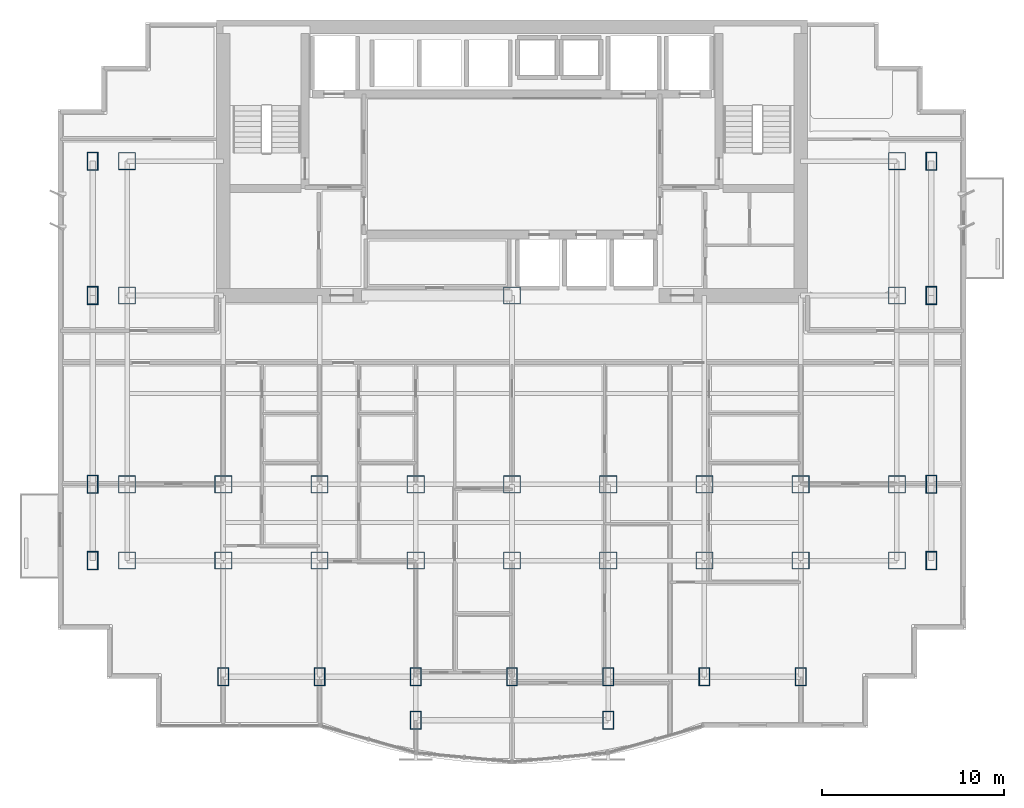
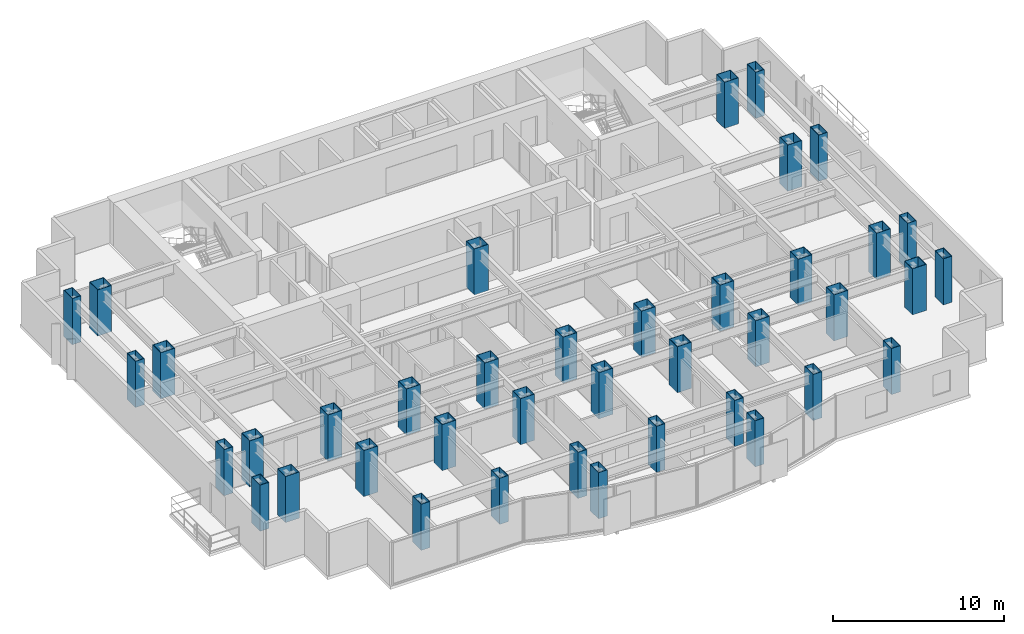
# One storey, part 1 of 10: 40 columns.
"""IFC4 building model written with IfcOpenShell, lengths in metres."""

from ifc_helpers import new_model, si_unit, direction, frame, origin, origin_2d, place, context, subcontext, project, spatial, hollow_rectangle, extrude, material, material_profile, profile_set, type_object, element, save


model = new_model("IFC4")

# Units and contexts
model_context = context("Model", 3, precision=1e-05, world=origin(), true_north=direction((0.0, 1.0)))
body_context = subcontext(model_context, "Body", "Model", "MODEL_VIEW")
ifc_project = project(units=[si_unit("LENGTHUNIT", "METRE"), si_unit("AREAUNIT", "SQUARE_METRE"), si_unit("VOLUMEUNIT", "CUBIC_METRE"), si_unit("PLANEANGLEUNIT", "RADIAN"), si_unit("MASSUNIT", "GRAM", prefix="KILO")], contexts=[model_context])

# Site, building, storey
site_placement = place(None, origin())
site = spatial("IfcSite", under=ifc_project, at=site_placement, CompositionType="ELEMENT")
building_placement = place(site_placement, origin())
building = spatial("IfcBuilding", under=site, at=building_placement, Name="Qianlan Lanfeng Residences", CompositionType="ELEMENT")
storey_placement = place(building_placement, frame((0.0, 0.0, 118.0)))
storey = spatial("IfcBuildingStorey", under=building, at=storey_placement, Name="L32", CompositionType="ELEMENT", Elevation=118.0)

# Columns
ifc_material = material(Name="Steel SN490B", Category="steel")
ifc_material_profile_1 = material_profile(ifc_material, hollow_rectangle(XDim=0.949951171875, YDim=0.949951171875, WallThickness=0.031982421875, at=origin_2d()), Name="BOX 950x950x32")
ifc_profile_set_1 = profile_set([ifc_material_profile_1], Name="Steel SN490B")
column_type_1 = type_object("IfcColumnType", Name="C-B1100", PredefinedType="COLUMN", material=ifc_profile_set_1)
for number, where, z_axis, x_axis, name in (
    (1, (26.5, 25.199951171875, 0.0), (0.0, 0.0, 1.0), (1.0, 0.0, 0.0), "L32 Structural Column CP_26.5_25.2"),
    (2, (10.60009765625, 14.800048828125, 0.0), (0.0, 0.0, 1.0), (1.0, 0.0, 0.0), "L32 Structural Column M_10.60_14.80"),
    (3, (10.60009765625, 10.60009765625, 0.0), (0.0, 0.0, 1.0), (1.0, 0.0, 0.0), "L32 Structural Column G_10.60_10.60"),
    (4, (15.89990234375, 14.800048828125, 0.0), (0.0, 0.0, 1.0), (1.0, 0.0, 0.0), "L32 Structural Column M_15.90_14.80"),
    (5, (15.89990234375, 10.60009765625, 0.0), (0.0, 0.0, 1.0), (1.0, 0.0, 0.0), "L32 Structural Column G_15.90_10.60"),
    (6, (21.199951171875, 14.800048828125, 0.0), (0.0, 0.0, 1.0), (1.0, 0.0, 0.0), "L32 Structural Column M_21.20_14.80"),
    (7, (21.199951171875, 10.60009765625, 0.0), (0.0, 0.0, 1.0), (1.0, 0.0, 0.0), "L32 Structural Column G_21.20_10.60"),
    (8, (26.5, 14.800048828125, 0.0), (0.0, 0.0, 1.0), (1.0, 0.0, 0.0), "L32 Structural Column M_26.50_14.80"),
    (9, (26.5, 10.60009765625, 0.0), (0.0, 0.0, 1.0), (1.0, 0.0, 0.0), "L32 Structural Column G_26.50_10.60"),
    (10, (31.800048828125, 14.800048828125, 0.0), (0.0, 0.0, 1.0), (1.0, 0.0, 0.0), "L32 Structural Column M_31.80_14.80"),
    (11, (31.800048828125, 10.60009765625, 0.0), (0.0, 0.0, 1.0), (1.0, 0.0, 0.0), "L32 Structural Column G_31.80_10.60"),
    (12, (37.10009765625, 14.800048828125, 0.0), (0.0, 0.0, 1.0), (1.0, 0.0, 0.0), "L32 Structural Column M_37.10_14.80"),
    (13, (37.10009765625, 10.60009765625, 0.0), (0.0, 0.0, 1.0), (1.0, 0.0, 0.0), "L32 Structural Column G_37.10_10.60"),
    (14, (42.39990234375, 14.800048828125, 0.0), (0.0, 0.0, 1.0), (1.0, 0.0, 0.0), "L32 Structural Column M_42.40_14.80"),
    (15, (42.39990234375, 10.60009765625, 0.0), (0.0, 0.0, 1.0), (1.0, 0.0, 0.0), "L32 Structural Column G_42.40_10.60"),
    (16, (5.300048828125, 10.60009765625, 0.0), (0.0, 0.0, 1.0), (1.0, 0.0, 0.0), "L32 Structural Column W_5.30_10.60"),
    (17, (5.300048828125, 14.800048828125, 0.0), (0.0, 0.0, 1.0), (1.0, 0.0, 0.0), "L32 Structural Column W_5.30_14.80"),
    (18, (5.300048828125, 25.199951171875, 0.0), (0.0, 0.0, 1.0), (1.0, 0.0, 0.0), "L32 Structural Column W_5.30_25.20"),
    (19, (5.300048828125, 32.60009765625, 0.0), (0.0, 0.0, 1.0), (1.0, 0.0, 0.0), "L32 Structural Column W_5.30_32.60"),
    (20, (47.699951171875, 10.60009765625, 0.0), (0.0, 0.0, 1.0), (1.0, 0.0, 0.0), "L32 Structural Column W_47.70_10.60"),
    (21, (47.699951171875, 14.800048828125, 0.0), (0.0, 0.0, 1.0), (1.0, 0.0, 0.0), "L32 Structural Column W_47.70_14.80"),
    (22, (47.699951171875, 25.199951171875, 0.0), (0.0, 0.0, 1.0), (1.0, 0.0, 0.0), "L32 Structural Column W_47.70_25.20"),
    (23, (47.699951171875, 32.60009765625, 0.0), (0.0, 0.0, 1.0), (1.0, 0.0, 0.0), "L32 Structural Column W_47.70_32.60"),
):
    element("IfcColumn", number, at=place(storey_placement, frame(where, z_axis=z_axis, x_axis=x_axis)), inside=storey, type_object=column_type_1, Name=name, PredefinedType="COLUMN", context=body_context, shape_type="SweptSolid", body=[
        extrude(hollow_rectangle(XDim=0.949951171875, YDim=0.949951171875, WallThickness=0.031982421875, at=origin_2d()), origin(), (0.0, 0.0, 1.0), 3.300048828125),
    ])
ifc_material_profile_2 = material_profile(ifc_material, hollow_rectangle(XDim=0.60009765625, YDim=1.0, WallThickness=0.031982421875, at=origin_2d()), Name="BOX 1000x600x32")
ifc_profile_set_2 = profile_set([ifc_material_profile_2], Name="Steel SN490B")
column_type_2 = type_object("IfcColumnType", Name="CE-B1100", PredefinedType="COLUMN", material=ifc_profile_set_2)
for number, where, z_axis, x_axis, name in (
    (24, (21.199951171875, 1.800048828125, 0.0), (0.0, 0.0, 1.0), (1.0, 0.0, 0.0), "L32 Structural Column P_21.20_1.80"),
    (25, (31.800048828125, 1.800048828125, 0.0), (0.0, 0.0, 1.0), (1.0, 0.0, 0.0), "L32 Structural Column P_31.80_1.80"),
    (26, (10.60009765625, 4.199951171875, 0.0), (0.0, 0.0, 1.0), (1.0, 0.0, 0.0), "L32 Structural Column S_10.60_4.20"),
    (27, (15.89990234375, 4.199951171875, 0.0), (0.0, 0.0, 1.0), (1.0, 0.0, 0.0), "L32 Structural Column S_15.90_4.20"),
    (28, (21.199951171875, 4.199951171875, 0.0), (0.0, 0.0, 1.0), (1.0, 0.0, 0.0), "L32 Structural Column S_21.20_4.20"),
    (29, (26.5, 4.199951171875, 0.0), (0.0, 0.0, 1.0), (1.0, 0.0, 0.0), "L32 Structural Column S_26.50_4.20"),
    (30, (31.800048828125, 4.199951171875, 0.0), (0.0, 0.0, 1.0), (1.0, 0.0, 0.0), "L32 Structural Column S_31.80_4.20"),
    (31, (37.10009765625, 4.199951171875, 0.0), (0.0, 0.0, 1.0), (1.0, 0.0, 0.0), "L32 Structural Column S_37.10_4.20"),
    (32, (42.39990234375, 4.199951171875, 0.0), (0.0, 0.0, 1.0), (1.0, 0.0, 0.0), "L32 Structural Column S_42.40_4.20"),
    (33, (3.39990234375, 10.60009765625, 0.0), (0.0, 0.0, 1.0), (1.0, 0.0, 0.0), "L32 Structural Column W_3.40_10.60"),
    (34, (3.39990234375, 14.800048828125, 0.0), (0.0, 0.0, 1.0), (1.0, 0.0, 0.0), "L32 Structural Column W_3.40_14.80"),
    (35, (3.39990234375, 25.199951171875, 0.0), (0.0, 0.0, 1.0), (1.0, 0.0, 0.0), "L32 Structural Column W_3.40_25.20"),
    (36, (3.39990234375, 32.60009765625, 0.0), (0.0, 0.0, 1.0), (1.0, 0.0, 0.0), "L32 Structural Column W_3.40_32.60"),
    (37, (49.60009765625, 10.60009765625, 0.0), (0.0, 0.0, 1.0), (1.0, 0.0, 0.0), "L32 Structural Column W_49.60_10.60"),
    (38, (49.60009765625, 14.800048828125, 0.0), (0.0, 0.0, 1.0), (1.0, 0.0, 0.0), "L32 Structural Column W_49.60_14.80"),
    (39, (49.60009765625, 25.199951171875, 0.0), (0.0, 0.0, 1.0), (1.0, 0.0, 0.0), "L32 Structural Column W_49.60_25.20"),
    (40, (49.60009765625, 32.60009765625, 0.0), (0.0, 0.0, 1.0), (1.0, 0.0, 0.0), "L32 Structural Column W_49.60_32.60"),
):
    element("IfcColumn", number, at=place(storey_placement, frame(where, z_axis=z_axis, x_axis=x_axis)), inside=storey, type_object=column_type_2, Name=name, PredefinedType="COLUMN", context=body_context, shape_type="SweptSolid", body=[
        extrude(hollow_rectangle(XDim=0.60009765625, YDim=1.0, WallThickness=0.031982421875, at=origin_2d()), origin(), (0.0, 0.0, 1.0), 3.300048828125),
    ])

save(model, "model.ifc")
